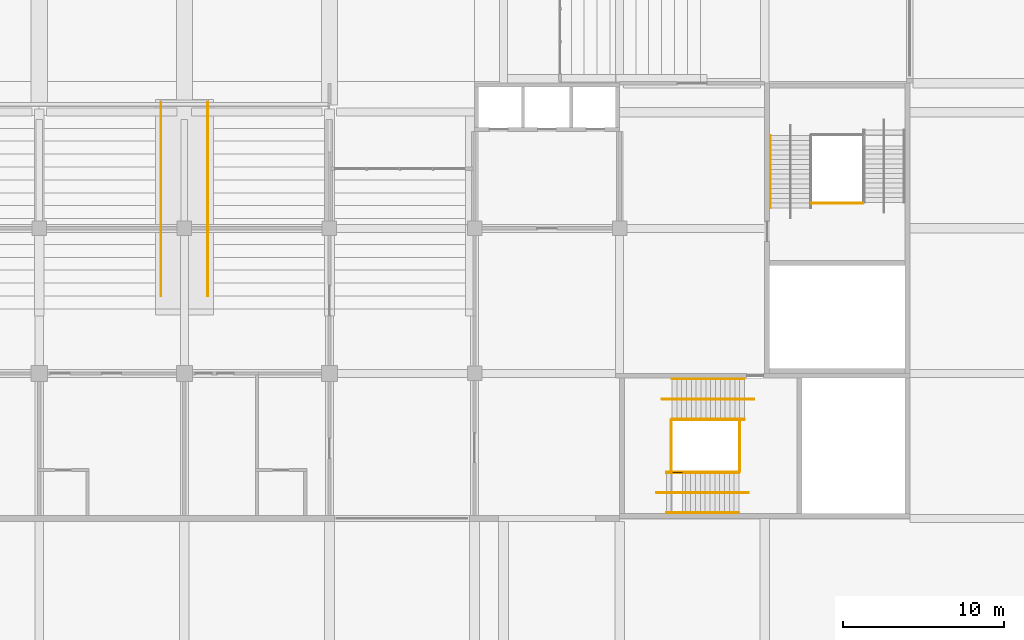
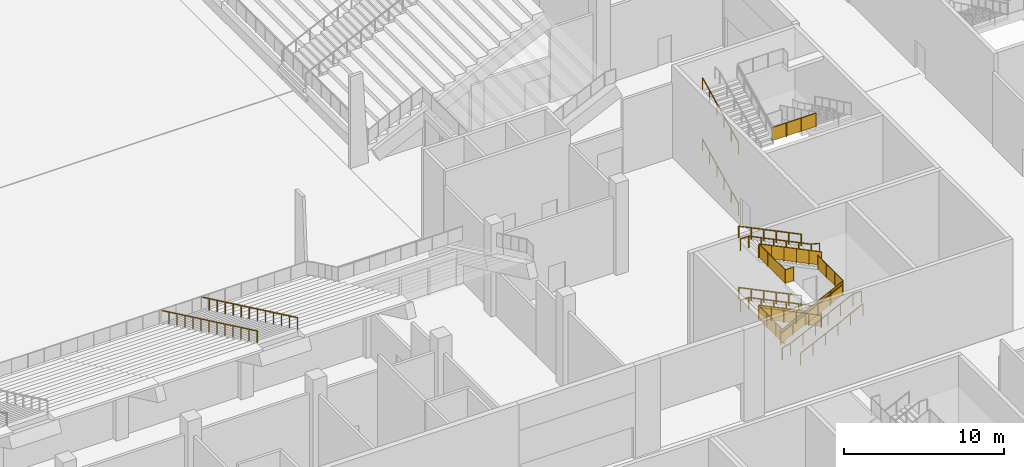
# One storey, part 71 of 92: 20 railings.
"""IFC4 building model written with IfcOpenShell, lengths in metres."""

from ifc_helpers import new_model, si_unit, direction, frame, origin, origin_2d, place, context, subcontext, project, spatial, polyline, circle, outline, extrude, material, type_object, element, save


model = new_model("IFC4")

# Units and contexts
model_context = context("Model", 3, precision=1e-05, world=origin(), true_north=direction((0.0, 1.0)))
body_context = subcontext(model_context, "Body", "Model", "MODEL_VIEW")
ifc_project = project(units=[si_unit("LENGTHUNIT", "METRE"), si_unit("AREAUNIT", "SQUARE_METRE"), si_unit("VOLUMEUNIT", "CUBIC_METRE"), si_unit("PLANEANGLEUNIT", "RADIAN"), si_unit("MASSUNIT", "GRAM", prefix="KILO")], contexts=[model_context])

# Site, building, storey
site_placement = place(None, origin())
site = spatial("IfcSite", under=ifc_project, at=site_placement, CompositionType="ELEMENT")
building_placement = place(site_placement, origin())
building = spatial("IfcBuilding", under=site, at=building_placement, Name="Silverbay Arena", CompositionType="ELEMENT")
storey_placement = place(building_placement, origin())
storey = spatial("IfcBuildingStorey", under=building, at=storey_placement, Name="L00", CompositionType="ELEMENT", Elevation=0.0)

# Railings
ifc_material_1 = material(Name="Stainless steel", Category="steel")
railing_type_1 = type_object("IfcRailingType", Name="Stair guard 1100", PredefinedType="GUARDRAIL", material=ifc_material_1)
railing_1_placement = place(storey_placement, frame((178.7431640625, 42.125, 0.145751953125)))
element("IfcRailing", 1, at=railing_1_placement, inside=storey, type_object=railing_type_1, Name="Stair ST-SE1 L00 to L01 flight 1 guard right", PredefinedType="GUARDRAIL", context=body_context, shape_type="SweptSolid", body=[
    extrude(circle(Radius=0.02392578125, at=origin_2d()), frame((0.0, 0.0, 1.076171875), z_axis=(-0.899367854138, 0.0, 0.437192706873), x_axis=(0.0, -1.0, 0.0)), (0.0, 0.0, 1.0), 5.00341796875),
    extrude(outline(polyline([(-0.008056640625, 0.046142578125), (0.907958984375, 0.491455078125), (0.907958984375, 1.494384765625), (-0.008056640625, 1.049072265625), (-0.008056640625, 0.046142578125)])), frame((0.0, -0.0029296875, 0.0), z_axis=(0.0, 1.0, 0.0), x_axis=(-1.0, 0.0, 0.0)), (0.0, 0.0, 1.0), 0.006103515625),
    extrude(outline(polyline([(-0.008056640625, 0.483642578125), (0.907958984375, 0.928955078125), (0.907958984375, 1.931884765625), (-0.008056640625, 1.486572265625), (-0.008056640625, 0.483642578125)])), frame((-0.89990234375, -0.0029296875, 0.0), z_axis=(0.0, 1.0, 0.0), x_axis=(-1.0, 0.0, 0.0)), (0.0, 0.0, 1.0), 0.006103515625),
    extrude(outline(polyline([(-0.008056640625, 0.921142578125), (0.907958984375, 1.366455078125), (0.907958984375, 2.369384765625), (-0.008056640625, 1.924072265625), (-0.008056640625, 0.921142578125)])), frame((-1.800048828125, -0.0029296875, 0.0), z_axis=(0.0, 1.0, 0.0), x_axis=(-1.0, 0.0, 0.0)), (0.0, 0.0, 1.0), 0.006103515625),
    extrude(outline(polyline([(-0.008056640625, 1.358642578125), (0.907958984375, 1.803955078125), (0.907958984375, 2.806884765625), (-0.008056640625, 2.361572265625), (-0.008056640625, 1.358642578125)])), frame((-2.699951171875, -0.0029296875, 0.0), z_axis=(0.0, 1.0, 0.0), x_axis=(-1.0, 0.0, 0.0)), (0.0, 0.0, 1.0), 0.006103515625),
    extrude(outline(polyline([(-0.008056640625, 1.796142578125), (0.907958984375, 2.241455078125), (0.907958984375, 3.244384765625), (-0.008056640625, 2.799072265625), (-0.008056640625, 1.796142578125)])), frame((-3.60009765625, -0.0029296875, 0.0), z_axis=(0.0, 1.0, 0.0), x_axis=(-1.0, 0.0, 0.0)), (0.0, 0.0, 1.0), 0.006103515625),
    extrude(circle(Radius=0.02099609375, at=origin_2d()), origin(), (0.0, 0.0, 1.0), 1.052001953125),
    extrude(circle(Radius=0.02099609375, at=origin_2d()), frame((-0.89990234375, 0.0, 0.4375)), (0.0, 0.0, 1.0), 1.052001953125),
    extrude(circle(Radius=0.02099609375, at=origin_2d()), frame((-1.800048828125, 0.0, 0.875)), (0.0, 0.0, 1.0), 1.052001953125),
    extrude(circle(Radius=0.02099609375, at=origin_2d()), frame((-2.699951171875, 0.0, 1.3125)), (0.0, 0.0, 1.0), 1.052001953125),
    extrude(circle(Radius=0.02099609375, at=origin_2d()), frame((-3.60009765625, 0.0, 1.75)), (0.0, 0.0, 1.0), 1.052001953125),
    extrude(circle(Radius=0.02099609375, at=origin_2d()), frame((-4.5, 0.0, 2.1875)), (0.0, 0.0, 1.0), 1.052001953125),
])
railing_2_placement = place(storey_placement, frame((173.89990234375, 38.875, 2.479248046875)))
element("IfcRailing", 2, at=railing_2_placement, inside=storey, type_object=railing_type_1, Name="Stair ST-SE1 L00 to L01 flight 2 guard left", PredefinedType="GUARDRAIL", context=body_context, shape_type="SweptSolid", body=[
    extrude(circle(Radius=0.02392578125, at=origin_2d()), frame((0.0, 0.0, 1.076171875), z_axis=(0.899367854138, 0.0, 0.437192706873), x_axis=(0.0, 1.0, 0.0)), (0.0, 0.0, 1.0), 5.00341796875),
    extrude(outline(polyline([(-0.008056640625, 0.046142578125), (0.907958984375, 0.491455078125), (0.907958984375, 1.494384765625), (-0.008056640625, 1.049072265625), (-0.008056640625, 0.046142578125)])), frame((0.0, 0.0029296875, 0.0), z_axis=(0.0, -1.0, 0.0), x_axis=(1.0, 0.0, 0.0)), (0.0, 0.0, 1.0), 0.006103515625),
    extrude(outline(polyline([(-0.008056640625, 0.483642578125), (0.907958984375, 0.928955078125), (0.907958984375, 1.931884765625), (-0.008056640625, 1.486572265625), (-0.008056640625, 0.483642578125)])), frame((0.89990234375, 0.0029296875, 0.0), z_axis=(0.0, -1.0, 0.0), x_axis=(1.0, 0.0, 0.0)), (0.0, 0.0, 1.0), 0.006103515625),
    extrude(outline(polyline([(-0.008056640625, 0.921142578125), (0.907958984375, 1.366455078125), (0.907958984375, 2.369384765625), (-0.008056640625, 1.924072265625), (-0.008056640625, 0.921142578125)])), frame((1.800048828125, 0.0029296875, 0.0), z_axis=(0.0, -1.0, 0.0), x_axis=(1.0, 0.0, 0.0)), (0.0, 0.0, 1.0), 0.006103515625),
    extrude(outline(polyline([(-0.008056640625, 1.358642578125), (0.907958984375, 1.803955078125), (0.907958984375, 2.806884765625), (-0.008056640625, 2.361572265625), (-0.008056640625, 1.358642578125)])), frame((2.699951171875, 0.0029296875, 0.0), z_axis=(0.0, -1.0, 0.0), x_axis=(1.0, 0.0, 0.0)), (0.0, 0.0, 1.0), 0.006103515625),
    extrude(outline(polyline([(-0.008056640625, 1.796142578125), (0.907958984375, 2.241455078125), (0.907958984375, 3.244384765625), (-0.008056640625, 2.799072265625), (-0.008056640625, 1.796142578125)])), frame((3.60009765625, 0.0029296875, 0.0), z_axis=(0.0, -1.0, 0.0), x_axis=(1.0, 0.0, 0.0)), (0.0, 0.0, 1.0), 0.006103515625),
    extrude(circle(Radius=0.02099609375, at=origin_2d()), origin(), (0.0, 0.0, 1.0), 1.052001953125),
    extrude(circle(Radius=0.02099609375, at=origin_2d()), frame((0.89990234375, 0.0, 0.4375)), (0.0, 0.0, 1.0), 1.052001953125),
    extrude(circle(Radius=0.02099609375, at=origin_2d()), frame((1.800048828125, 0.0, 0.875)), (0.0, 0.0, 1.0), 1.052001953125),
    extrude(circle(Radius=0.02099609375, at=origin_2d()), frame((2.699951171875, 0.0, 1.3125)), (0.0, 0.0, 1.0), 1.052001953125),
    extrude(circle(Radius=0.02099609375, at=origin_2d()), frame((3.60009765625, 0.0, 1.75)), (0.0, 0.0, 1.0), 1.052001953125),
    extrude(circle(Radius=0.02099609375, at=origin_2d()), frame((4.5, 0.0, 2.1875)), (0.0, 0.0, 1.0), 1.052001953125),
])
railing_3_placement = place(storey_placement, frame((178.7431640625, 42.125, 4.8125)))
element("IfcRailing", 3, at=railing_3_placement, inside=storey, type_object=railing_type_1, Name="Stair ST-SE1 L00 to L01 flight 3 guard right", PredefinedType="GUARDRAIL", context=body_context, shape_type="SweptSolid", body=[
    extrude(circle(Radius=0.02392578125, at=origin_2d()), frame((0.0, 0.0, 1.076171875), z_axis=(-0.899367854138, 0.0, 0.437192706873), x_axis=(0.0, -1.0, 0.0)), (0.0, 0.0, 1.0), 5.00341796875),
    extrude(outline(polyline([(-0.008056640625, 0.046142578125), (0.907958984375, 0.491455078125), (0.907958984375, 1.494384765625), (-0.008056640625, 1.049072265625), (-0.008056640625, 0.046142578125)])), frame((0.0, -0.0029296875, 0.0), z_axis=(0.0, 1.0, 0.0), x_axis=(-1.0, 0.0, 0.0)), (0.0, 0.0, 1.0), 0.006103515625),
    extrude(outline(polyline([(-0.008056640625, 0.483642578125), (0.907958984375, 0.928955078125), (0.907958984375, 1.931884765625), (-0.008056640625, 1.486572265625), (-0.008056640625, 0.483642578125)])), frame((-0.89990234375, -0.0029296875, 0.0), z_axis=(0.0, 1.0, 0.0), x_axis=(-1.0, 0.0, 0.0)), (0.0, 0.0, 1.0), 0.006103515625),
    extrude(outline(polyline([(-0.008056640625, 0.921142578125), (0.907958984375, 1.366455078125), (0.907958984375, 2.369384765625), (-0.008056640625, 1.924072265625), (-0.008056640625, 0.921142578125)])), frame((-1.800048828125, -0.0029296875, 0.0), z_axis=(0.0, 1.0, 0.0), x_axis=(-1.0, 0.0, 0.0)), (0.0, 0.0, 1.0), 0.006103515625),
    extrude(outline(polyline([(-0.008056640625, 1.358642578125), (0.907958984375, 1.803955078125), (0.907958984375, 2.806884765625), (-0.008056640625, 2.361572265625), (-0.008056640625, 1.358642578125)])), frame((-2.699951171875, -0.0029296875, 0.0), z_axis=(0.0, 1.0, 0.0), x_axis=(-1.0, 0.0, 0.0)), (0.0, 0.0, 1.0), 0.006103515625),
    extrude(outline(polyline([(-0.008056640625, 1.796142578125), (0.907958984375, 2.241455078125), (0.907958984375, 3.244384765625), (-0.008056640625, 2.799072265625), (-0.008056640625, 1.796142578125)])), frame((-3.60009765625, -0.0029296875, 0.0), z_axis=(0.0, 1.0, 0.0), x_axis=(-1.0, 0.0, 0.0)), (0.0, 0.0, 1.0), 0.006103515625),
    extrude(circle(Radius=0.02099609375, at=origin_2d()), origin(), (0.0, 0.0, 1.0), 1.052001953125),
    extrude(circle(Radius=0.02099609375, at=origin_2d()), frame((-0.89990234375, 0.0, 0.4375)), (0.0, 0.0, 1.0), 1.052001953125),
    extrude(circle(Radius=0.02099609375, at=origin_2d()), frame((-1.800048828125, 0.0, 0.875)), (0.0, 0.0, 1.0), 1.052001953125),
    extrude(circle(Radius=0.02099609375, at=origin_2d()), frame((-2.699951171875, 0.0, 1.3125)), (0.0, 0.0, 1.0), 1.052001953125),
    extrude(circle(Radius=0.02099609375, at=origin_2d()), frame((-3.60009765625, 0.0, 1.75)), (0.0, 0.0, 1.0), 1.052001953125),
    extrude(circle(Radius=0.02099609375, at=origin_2d()), frame((-4.5, 0.0, 2.1875)), (0.0, 0.0, 1.0), 1.052001953125),
])
for number, where, name in (
    (4, (174.193115234375, 42.10009765625, 2.333251953125), "Stair ST-SE1 L00 to L01 landing 1 guard"),
    (5, (178.449951171875, 42.10009765625, 4.666748046875), "Stair ST-SE1 L00 to L01 landing 2 guard"),
):
    element("IfcRailing", number, at=place(storey_placement, frame(where)), inside=storey, type_object=railing_type_1, Name=name, PredefinedType="GUARDRAIL", context=body_context, shape_type="SweptSolid", body=[
        extrude(circle(Radius=0.02392578125, at=origin_2d()), frame((0.0, 0.0, 1.076171875), z_axis=(0.0, -1.0, 0.0), x_axis=(1.0, 0.0, 0.0)), (0.0, 0.0, 1.0), 3.2001953125),
        extrude(outline(polyline([(-0.008056640625, 0.050048828125), (1.07470703125, 0.050048828125), (1.07470703125, 1.052978515625), (-0.008056640625, 1.052978515625), (-0.008056640625, 0.050048828125)])), frame((0.0029296875, 0.0, 0.0), z_axis=(-1.0, 0.0, 0.0), x_axis=(0.0, -1.0, 0.0)), (0.0, 0.0, 1.0), 0.006103515625),
        extrude(outline(polyline([(-0.008056640625, 0.050048828125), (1.07470703125, 0.050048828125), (1.07470703125, 1.052978515625), (-0.008056640625, 1.052978515625), (-0.008056640625, 0.050048828125)])), frame((0.0029296875, -1.066650390625, 0.0), z_axis=(-1.0, 0.0, 0.0), x_axis=(0.0, -1.0, 0.0)), (0.0, 0.0, 1.0), 0.006103515625),
        extrude(outline(polyline([(-0.008056640625, 0.050048828125), (1.07470703125, 0.050048828125), (1.07470703125, 1.052978515625), (-0.008056640625, 1.052978515625), (-0.008056640625, 0.050048828125)])), frame((0.0029296875, -2.133544921875, 0.0), z_axis=(-1.0, 0.0, 0.0), x_axis=(0.0, -1.0, 0.0)), (0.0, 0.0, 1.0), 0.006103515625),
        extrude(circle(Radius=0.02099609375, at=origin_2d()), origin(), (0.0, 0.0, 1.0), 1.052001953125),
        extrude(circle(Radius=0.02099609375, at=origin_2d()), frame((0.0, -1.066650390625, 0.0)), (0.0, 0.0, 1.0), 1.052001953125),
        extrude(circle(Radius=0.02099609375, at=origin_2d()), frame((0.0, -2.133544921875, 0.0)), (0.0, 0.0, 1.0), 1.052001953125),
        extrude(circle(Radius=0.02099609375, at=origin_2d()), frame((0.0, -3.2001953125, 0.0)), (0.0, 0.0, 1.0), 1.052001953125),
    ])
railing_4_placement = place(storey_placement, frame((174.85009765625, 38.85009765625, 7.0)))
element("IfcRailing", 6, at=railing_4_placement, inside=storey, type_object=railing_type_1, Name="Stair ST-SE1 L00 to L01 landing 3 guard", PredefinedType="GUARDRAIL", context=body_context, shape_type="SweptSolid", body=[
    extrude(circle(Radius=0.02392578125, at=origin_2d()), frame((0.0, 0.0, 1.076171875), z_axis=(-1.0, 0.0, 0.0), x_axis=(0.0, -1.0, 0.0)), (0.0, 0.0, 1.0), 0.60693359375),
    extrude(outline(polyline([(-0.008056640625, 0.050048828125), (0.614990234375, 0.050048828125), (0.614990234375, 1.052978515625), (-0.008056640625, 1.052978515625), (-0.008056640625, 0.050048828125)])), frame((0.0, -0.0029296875, 0.0), z_axis=(0.0, 1.0, 0.0), x_axis=(-1.0, 0.0, 0.0)), (0.0, 0.0, 1.0), 0.006103515625),
    extrude(circle(Radius=0.02392578125, at=origin_2d()), frame((-0.60693359375, 0.0, 1.076171875), z_axis=(0.0, 1.0, 0.0), x_axis=(-1.0, 0.0, 0.0)), (0.0, 0.0, 1.0), 3.25),
    extrude(outline(polyline([(-0.008056640625, 0.050048828125), (1.09130859375, 0.050048828125), (1.09130859375, 1.052978515625), (-0.008056640625, 1.052978515625), (-0.008056640625, 0.050048828125)])), frame((-0.60986328125, 0.0, 0.0), z_axis=(1.0, 0.0, 0.0), x_axis=(0.0, 1.0, 0.0)), (0.0, 0.0, 1.0), 0.006103515625),
    extrude(outline(polyline([(-0.008056640625, 0.050048828125), (1.09130859375, 0.050048828125), (1.09130859375, 1.052978515625), (-0.008056640625, 1.052978515625), (-0.008056640625, 0.050048828125)])), frame((-0.60986328125, 1.083251953125, 0.0), z_axis=(1.0, 0.0, 0.0), x_axis=(0.0, 1.0, 0.0)), (0.0, 0.0, 1.0), 0.006103515625),
    extrude(outline(polyline([(-0.008056640625, 0.050048828125), (1.09130859375, 0.050048828125), (1.09130859375, 1.052978515625), (-0.008056640625, 1.052978515625), (-0.008056640625, 0.050048828125)])), frame((-0.60986328125, 2.166748046875, 0.0), z_axis=(1.0, 0.0, 0.0), x_axis=(0.0, 1.0, 0.0)), (0.0, 0.0, 1.0), 0.006103515625),
    extrude(circle(Radius=0.02099609375, at=origin_2d()), origin(), (0.0, 0.0, 1.0), 1.052001953125),
    extrude(circle(Radius=0.02099609375, at=origin_2d()), frame((-0.60693359375, 0.0, 0.0)), (0.0, 0.0, 1.0), 1.052001953125),
    extrude(circle(Radius=0.02099609375, at=origin_2d()), frame((-0.60693359375, 1.083251953125, 0.0)), (0.0, 0.0, 1.0), 1.052001953125),
    extrude(circle(Radius=0.02099609375, at=origin_2d()), frame((-0.60693359375, 2.166748046875, 0.0)), (0.0, 0.0, 1.0), 1.052001953125),
    extrude(circle(Radius=0.02099609375, at=origin_2d()), frame((-0.60693359375, 3.25, 0.0)), (0.0, 0.0, 1.0), 1.052001953125),
])
railing_5_placement = place(storey_placement, frame((182.89990234375, 55.550048828125, 4.666748046875)))
element("IfcRailing", 7, at=railing_5_placement, inside=storey, type_object=railing_type_1, Name="Stair ST-SE2 L00 to L01 landing 2 guard", PredefinedType="GUARDRAIL", context=body_context, shape_type="SweptSolid", body=[
    extrude(circle(Radius=0.02392578125, at=origin_2d()), frame((0.0, 0.0, 1.076171875), z_axis=(1.0, 0.0, 0.0), x_axis=(0.0, 1.0, 0.0)), (0.0, 0.0, 1.0), 3.2001953125),
    extrude(outline(polyline([(-0.008056640625, 0.050048828125), (1.07470703125, 0.050048828125), (1.07470703125, 1.052978515625), (-0.008056640625, 1.052978515625), (-0.008056640625, 0.050048828125)])), frame((0.0, 0.0029296875, 0.0), z_axis=(0.0, -1.0, 0.0), x_axis=(1.0, 0.0, 0.0)), (0.0, 0.0, 1.0), 0.006103515625),
    extrude(outline(polyline([(-0.008056640625, 0.050048828125), (1.07470703125, 0.050048828125), (1.07470703125, 1.052978515625), (-0.008056640625, 1.052978515625), (-0.008056640625, 0.050048828125)])), frame((1.066650390625, 0.0029296875, 0.0), z_axis=(0.0, -1.0, 0.0), x_axis=(1.0, 0.0, 0.0)), (0.0, 0.0, 1.0), 0.006103515625),
    extrude(outline(polyline([(-0.008056640625, 0.050048828125), (1.07470703125, 0.050048828125), (1.07470703125, 1.052978515625), (-0.008056640625, 1.052978515625), (-0.008056640625, 0.050048828125)])), frame((2.133544921875, 0.0029296875, 0.0), z_axis=(0.0, -1.0, 0.0), x_axis=(1.0, 0.0, 0.0)), (0.0, 0.0, 1.0), 0.006103515625),
    extrude(circle(Radius=0.02099609375, at=origin_2d()), origin(), (0.0, 0.0, 1.0), 1.052001953125),
    extrude(circle(Radius=0.02099609375, at=origin_2d()), frame((1.066650390625, 0.0, 0.0)), (0.0, 0.0, 1.0), 1.052001953125),
    extrude(circle(Radius=0.02099609375, at=origin_2d()), frame((2.133544921875, 0.0, 0.0)), (0.0, 0.0, 1.0), 1.052001953125),
    extrude(circle(Radius=0.02099609375, at=origin_2d()), frame((3.2001953125, 0.0, 0.0)), (0.0, 0.0, 1.0), 1.052001953125),
])
ifc_material_2 = material(Name="Stainless steel", Category="steel")
railing_type_2 = type_object("IfcRailingType", Name="Stair handrail 900", PredefinedType="HANDRAIL", material=ifc_material_2)
for number, where, name in (
    (8, (178.7431640625, 44.64990234375, 0.145751953125), "Stair ST-SE1 L00 to L01 flight 1 handrail left"),
    (9, (178.7431640625, 42.1640625, 0.145751953125), "Stair ST-SE1 L00 to L01 flight 1 handrail right"),
):
    element("IfcRailing", number, at=place(storey_placement, frame(where)), inside=storey, type_object=railing_type_2, Name=name, PredefinedType="HANDRAIL", context=body_context, shape_type="SweptSolid", body=[
        extrude(circle(Radius=0.02392578125, at=origin_2d()), frame((0.0, 0.0, 0.8759765625), z_axis=(-0.899367854138, 0.0, 0.437192706873), x_axis=(0.0, -1.0, 0.0)), (0.0, 0.0, 1.0), 5.00341796875),
        extrude(circle(Radius=0.02099609375, at=origin_2d()), origin(), (0.0, 0.0, 1.0), 0.851806640625),
        extrude(circle(Radius=0.02099609375, at=origin_2d()), frame((-0.89990234375, 0.0, 0.4375)), (0.0, 0.0, 1.0), 0.851806640625),
        extrude(circle(Radius=0.02099609375, at=origin_2d()), frame((-1.800048828125, 0.0, 0.875)), (0.0, 0.0, 1.0), 0.851806640625),
        extrude(circle(Radius=0.02099609375, at=origin_2d()), frame((-2.699951171875, 0.0, 1.3125)), (0.0, 0.0, 1.0), 0.851806640625),
        extrude(circle(Radius=0.02099609375, at=origin_2d()), frame((-3.60009765625, 0.0, 1.75)), (0.0, 0.0, 1.0), 0.851806640625),
        extrude(circle(Radius=0.02099609375, at=origin_2d()), frame((-4.5, 0.0, 2.1875)), (0.0, 0.0, 1.0), 0.851806640625),
    ])
railing_6_placement = place(storey_placement, frame((179.343017578125, 43.39990234375, 0.0)))
element("IfcRailing", 10, at=railing_6_placement, inside=storey, type_object=railing_type_2, Name="Stair ST-SE1 L00 to L01 flight 1 central handrail", PredefinedType="HANDRAIL", context=body_context, shape_type="SweptSolid", body=[
    extrude(circle(Radius=0.02392578125, at=origin_2d()), frame((0.0, 0.0, 0.8759765625), z_axis=(-0.971726487806, 0.0, 0.23610936639), x_axis=(0.0, -1.0, 0.0)), (0.0, 0.0, 1.0), 0.6171875),
    extrude(circle(Radius=0.02392578125, at=origin_2d()), frame((-0.599853515625, 0.0, 1.021484375), z_axis=(-0.899367854138, 0.0, 0.437192706873), x_axis=(0.0, -1.0, 0.0)), (0.0, 0.0, 1.0), 5.00341796875),
    extrude(circle(Radius=0.02392578125, at=origin_2d()), frame((-5.099853515625, 0.0, 3.208984375), z_axis=(-1.0, 0.0, 0.0), x_axis=(0.0, -1.0, 0.0)), (0.0, 0.0, 1.0), 0.60009765625),
    extrude(circle(Radius=0.02099609375, at=origin_2d()), origin(), (0.0, 0.0, 1.0), 0.851806640625),
    extrude(circle(Radius=0.02099609375, at=origin_2d()), frame((-0.599853515625, 0.0, 0.145751953125)), (0.0, 0.0, 1.0), 0.851806640625),
    extrude(circle(Radius=0.02099609375, at=origin_2d()), frame((-1.499755859375, 0.0, 0.583251953125)), (0.0, 0.0, 1.0), 0.851806640625),
    extrude(circle(Radius=0.02099609375, at=origin_2d()), frame((-2.39990234375, 0.0, 1.020751953125)), (0.0, 0.0, 1.0), 0.851806640625),
    extrude(circle(Radius=0.02099609375, at=origin_2d()), frame((-3.2998046875, 0.0, 1.458251953125)), (0.0, 0.0, 1.0), 0.851806640625),
    extrude(circle(Radius=0.02099609375, at=origin_2d()), frame((-4.199951171875, 0.0, 1.895751953125)), (0.0, 0.0, 1.0), 0.851806640625),
    extrude(circle(Radius=0.02099609375, at=origin_2d()), frame((-5.099853515625, 0.0, 2.333251953125)), (0.0, 0.0, 1.0), 0.851806640625),
    extrude(circle(Radius=0.02099609375, at=origin_2d()), frame((-5.699951171875, 0.0, 2.333251953125)), (0.0, 0.0, 1.0), 0.851806640625),
])
for number, where, name in (
    (11, (173.89990234375, 38.8359375, 2.479248046875), "Stair ST-SE1 L00 to L01 flight 2 handrail left"),
    (12, (173.89990234375, 36.35009765625, 2.479248046875), "Stair ST-SE1 L00 to L01 flight 2 handrail right"),
):
    element("IfcRailing", number, at=place(storey_placement, frame(where)), inside=storey, type_object=railing_type_2, Name=name, PredefinedType="HANDRAIL", context=body_context, shape_type="SweptSolid", body=[
        extrude(circle(Radius=0.02392578125, at=origin_2d()), frame((0.0, 0.0, 0.8759765625), z_axis=(0.899367854138, 0.0, 0.437192706873), x_axis=(0.0, 1.0, 0.0)), (0.0, 0.0, 1.0), 5.00341796875),
        extrude(circle(Radius=0.02099609375, at=origin_2d()), origin(), (0.0, 0.0, 1.0), 0.851806640625),
        extrude(circle(Radius=0.02099609375, at=origin_2d()), frame((0.89990234375, 0.0, 0.4375)), (0.0, 0.0, 1.0), 0.851806640625),
        extrude(circle(Radius=0.02099609375, at=origin_2d()), frame((1.800048828125, 0.0, 0.875)), (0.0, 0.0, 1.0), 0.851806640625),
        extrude(circle(Radius=0.02099609375, at=origin_2d()), frame((2.699951171875, 0.0, 1.3125)), (0.0, 0.0, 1.0), 0.851806640625),
        extrude(circle(Radius=0.02099609375, at=origin_2d()), frame((3.60009765625, 0.0, 1.75)), (0.0, 0.0, 1.0), 0.851806640625),
        extrude(circle(Radius=0.02099609375, at=origin_2d()), frame((4.5, 0.0, 2.1875)), (0.0, 0.0, 1.0), 0.851806640625),
    ])
railing_7_placement = place(storey_placement, frame((173.300048828125, 37.60009765625, 2.333251953125)))
element("IfcRailing", 13, at=railing_7_placement, inside=storey, type_object=railing_type_2, Name="Stair ST-SE1 L00 to L01 flight 2 central handrail", PredefinedType="HANDRAIL", context=body_context, shape_type="SweptSolid", body=[
    extrude(circle(Radius=0.02392578125, at=origin_2d()), frame((0.0, 0.0, 0.8759765625), z_axis=(0.971635685089, 0.0, 0.236482759334), x_axis=(0.0, 1.0, 0.0)), (0.0, 0.0, 1.0), 0.617431640625),
    extrude(circle(Radius=0.02392578125, at=origin_2d()), frame((0.599853515625, 0.0, 1.02197265625), z_axis=(0.899367854138, 0.0, 0.437192706873), x_axis=(0.0, 1.0, 0.0)), (0.0, 0.0, 1.0), 5.00341796875),
    extrude(circle(Radius=0.02392578125, at=origin_2d()), frame((5.099853515625, 0.0, 3.20947265625), z_axis=(1.0, 0.0, 0.0), x_axis=(0.0, 1.0, 0.0)), (0.0, 0.0, 1.0), 0.60009765625),
    extrude(circle(Radius=0.02099609375, at=origin_2d()), origin(), (0.0, 0.0, 1.0), 0.851806640625),
    extrude(circle(Radius=0.02099609375, at=origin_2d()), frame((0.599853515625, 0.0, 0.14599609375)), (0.0, 0.0, 1.0), 0.851806640625),
    extrude(circle(Radius=0.02099609375, at=origin_2d()), frame((1.499755859375, 0.0, 0.58349609375)), (0.0, 0.0, 1.0), 0.851806640625),
    extrude(circle(Radius=0.02099609375, at=origin_2d()), frame((2.39990234375, 0.0, 1.02099609375)), (0.0, 0.0, 1.0), 0.851806640625),
    extrude(circle(Radius=0.02099609375, at=origin_2d()), frame((3.2998046875, 0.0, 1.45849609375)), (0.0, 0.0, 1.0), 0.851806640625),
    extrude(circle(Radius=0.02099609375, at=origin_2d()), frame((4.199951171875, 0.0, 1.89599609375)), (0.0, 0.0, 1.0), 0.851806640625),
    extrude(circle(Radius=0.02099609375, at=origin_2d()), frame((5.099853515625, 0.0, 2.33349609375)), (0.0, 0.0, 1.0), 0.851806640625),
    extrude(circle(Radius=0.02099609375, at=origin_2d()), frame((5.699951171875, 0.0, 2.33349609375)), (0.0, 0.0, 1.0), 0.851806640625),
])
for number, where, name in (
    (14, (178.7431640625, 44.64990234375, 4.8125), "Stair ST-SE1 L00 to L01 flight 3 handrail left"),
    (15, (178.7431640625, 42.1640625, 4.8125), "Stair ST-SE1 L00 to L01 flight 3 handrail right"),
):
    element("IfcRailing", number, at=place(storey_placement, frame(where)), inside=storey, type_object=railing_type_2, Name=name, PredefinedType="HANDRAIL", context=body_context, shape_type="SweptSolid", body=[
        extrude(circle(Radius=0.02392578125, at=origin_2d()), frame((0.0, 0.0, 0.8759765625), z_axis=(-0.899367854138, 0.0, 0.437192706873), x_axis=(0.0, -1.0, 0.0)), (0.0, 0.0, 1.0), 5.00341796875),
        extrude(circle(Radius=0.02099609375, at=origin_2d()), origin(), (0.0, 0.0, 1.0), 0.851806640625),
        extrude(circle(Radius=0.02099609375, at=origin_2d()), frame((-0.89990234375, 0.0, 0.4375)), (0.0, 0.0, 1.0), 0.851806640625),
        extrude(circle(Radius=0.02099609375, at=origin_2d()), frame((-1.800048828125, 0.0, 0.875)), (0.0, 0.0, 1.0), 0.851806640625),
        extrude(circle(Radius=0.02099609375, at=origin_2d()), frame((-2.699951171875, 0.0, 1.3125)), (0.0, 0.0, 1.0), 0.851806640625),
        extrude(circle(Radius=0.02099609375, at=origin_2d()), frame((-3.60009765625, 0.0, 1.75)), (0.0, 0.0, 1.0), 0.851806640625),
        extrude(circle(Radius=0.02099609375, at=origin_2d()), frame((-4.5, 0.0, 2.1875)), (0.0, 0.0, 1.0), 0.851806640625),
    ])
railing_8_placement = place(storey_placement, frame((179.343017578125, 43.39990234375, 4.666748046875)))
element("IfcRailing", 16, at=railing_8_placement, inside=storey, type_object=railing_type_2, Name="Stair ST-SE1 L00 to L01 flight 3 central handrail", PredefinedType="HANDRAIL", context=body_context, shape_type="SweptSolid", body=[
    extrude(circle(Radius=0.02392578125, at=origin_2d()), frame((0.0, 0.0, 0.8759765625), z_axis=(-0.971726487806, 0.0, 0.23610936639), x_axis=(0.0, -1.0, 0.0)), (0.0, 0.0, 1.0), 0.6171875),
    extrude(circle(Radius=0.02392578125, at=origin_2d()), frame((-0.599853515625, 0.0, 1.021484375), z_axis=(-0.899367854138, 0.0, 0.437192706873), x_axis=(0.0, -1.0, 0.0)), (0.0, 0.0, 1.0), 5.00341796875),
    extrude(circle(Radius=0.02392578125, at=origin_2d()), frame((-5.099853515625, 0.0, 3.208984375), z_axis=(-1.0, 0.0, 0.0), x_axis=(0.0, -1.0, 0.0)), (0.0, 0.0, 1.0), 0.60009765625),
    extrude(circle(Radius=0.02099609375, at=origin_2d()), origin(), (0.0, 0.0, 1.0), 0.851806640625),
    extrude(circle(Radius=0.02099609375, at=origin_2d()), frame((-0.599853515625, 0.0, 0.145751953125)), (0.0, 0.0, 1.0), 0.851806640625),
    extrude(circle(Radius=0.02099609375, at=origin_2d()), frame((-1.499755859375, 0.0, 0.583251953125)), (0.0, 0.0, 1.0), 0.851806640625),
    extrude(circle(Radius=0.02099609375, at=origin_2d()), frame((-2.39990234375, 0.0, 1.020751953125)), (0.0, 0.0, 1.0), 0.851806640625),
    extrude(circle(Radius=0.02099609375, at=origin_2d()), frame((-3.2998046875, 0.0, 1.458251953125)), (0.0, 0.0, 1.0), 0.851806640625),
    extrude(circle(Radius=0.02099609375, at=origin_2d()), frame((-4.199951171875, 0.0, 1.895751953125)), (0.0, 0.0, 1.0), 0.851806640625),
    extrude(circle(Radius=0.02099609375, at=origin_2d()), frame((-5.099853515625, 0.0, 2.333251953125)), (0.0, 0.0, 1.0), 0.851806640625),
    extrude(circle(Radius=0.02099609375, at=origin_2d()), frame((-5.699951171875, 0.0, 2.333251953125)), (0.0, 0.0, 1.0), 0.851806640625),
])
for number, where, name in (
    (17, (180.35009765625, 55.2568359375, 0.145751953125), "Stair ST-SE2 L00 to L01 flight 1 handrail left"),
    (18, (180.35009765625, 55.2568359375, 4.8125), "Stair ST-SE2 L00 to L01 flight 3 handrail left"),
):
    element("IfcRailing", number, at=place(storey_placement, frame(where)), inside=storey, type_object=railing_type_2, Name=name, PredefinedType="HANDRAIL", context=body_context, shape_type="SweptSolid", body=[
        extrude(circle(Radius=0.02392578125, at=origin_2d()), frame((0.0, 0.0, 0.8759765625), z_axis=(0.0, 0.899367854138, 0.437192706873), x_axis=(-1.0, 0.0, 0.0)), (0.0, 0.0, 1.0), 5.00341796875),
        extrude(circle(Radius=0.02099609375, at=origin_2d()), origin(), (0.0, 0.0, 1.0), 0.851806640625),
        extrude(circle(Radius=0.02099609375, at=origin_2d()), frame((0.0, 0.89990234375, 0.4375)), (0.0, 0.0, 1.0), 0.851806640625),
        extrude(circle(Radius=0.02099609375, at=origin_2d()), frame((0.0, 1.800048828125, 0.875)), (0.0, 0.0, 1.0), 0.851806640625),
        extrude(circle(Radius=0.02099609375, at=origin_2d()), frame((0.0, 2.699951171875, 1.3125)), (0.0, 0.0, 1.0), 0.851806640625),
        extrude(circle(Radius=0.02099609375, at=origin_2d()), frame((0.0, 3.60009765625, 1.75)), (0.0, 0.0, 1.0), 0.851806640625),
        extrude(circle(Radius=0.02099609375, at=origin_2d()), frame((0.0, 4.5, 2.1875)), (0.0, 0.0, 1.0), 0.851806640625),
    ])
railing_9_placement = place(storey_placement, frame((142.550048828125, 61.800048828125, 1.300048828125)))
element("IfcRailing", 19, at=railing_9_placement, inside=storey, type_object=railing_type_2, Name="Vomitory stair V02 handrail left", PredefinedType="HANDRAIL", context=body_context, shape_type="SweptSolid", body=[
    extrude(circle(Radius=0.02392578125, at=origin_2d()), frame((0.0, 0.0, 0.8759765625), z_axis=(0.0, -0.903278928798, 0.429053815727), x_axis=(1.0, 0.0, 0.0)), (0.0, 0.0, 1.0), 13.284912109375),
    extrude(circle(Radius=0.02099609375, at=origin_2d()), origin(), (0.0, 0.0, 1.0), 0.851806640625),
    extrude(circle(Radius=0.02099609375, at=origin_2d()), frame((0.0, -1.0, 0.47509765625)), (0.0, 0.0, 1.0), 0.851806640625),
    extrude(circle(Radius=0.02099609375, at=origin_2d()), frame((0.0, -2.0, 0.949951171875)), (0.0, 0.0, 1.0), 0.851806640625),
    extrude(circle(Radius=0.02099609375, at=origin_2d()), frame((0.0, -3.0, 1.425048828125)), (0.0, 0.0, 1.0), 0.851806640625),
    extrude(circle(Radius=0.02099609375, at=origin_2d()), frame((0.0, -4.0, 1.89990234375)), (0.0, 0.0, 1.0), 0.851806640625),
    extrude(circle(Radius=0.02099609375, at=origin_2d()), frame((0.0, -5.0, 2.375)), (0.0, 0.0, 1.0), 0.851806640625),
    extrude(circle(Radius=0.02099609375, at=origin_2d()), frame((0.0, -6.0, 2.85009765625)), (0.0, 0.0, 1.0), 0.851806640625),
    extrude(circle(Radius=0.02099609375, at=origin_2d()), frame((0.0, -7.0, 3.324951171875)), (0.0, 0.0, 1.0), 0.851806640625),
    extrude(circle(Radius=0.02099609375, at=origin_2d()), frame((0.0, -8.0, 3.800048828125)), (0.0, 0.0, 1.0), 0.851806640625),
    extrude(circle(Radius=0.02099609375, at=origin_2d()), frame((0.0, -9.0, 4.27490234375)), (0.0, 0.0, 1.0), 0.851806640625),
    extrude(circle(Radius=0.02099609375, at=origin_2d()), frame((0.0, -10.0, 4.75)), (0.0, 0.0, 1.0), 0.851806640625),
    extrude(circle(Radius=0.02099609375, at=origin_2d()), frame((0.0, -11.0, 5.224853515625)), (0.0, 0.0, 1.0), 0.851806640625),
    extrude(circle(Radius=0.02099609375, at=origin_2d()), frame((0.0, -12.0, 5.699951171875)), (0.0, 0.0, 1.0), 0.851806640625),
])
railing_10_placement = place(storey_placement, frame((145.449951171875, 61.800048828125, 1.300048828125)))
element("IfcRailing", 20, at=railing_10_placement, inside=storey, type_object=railing_type_2, Name="Vomitory stair V02 handrail right", PredefinedType="HANDRAIL", context=body_context, shape_type="SweptSolid", body=[
    extrude(circle(Radius=0.02392578125, at=origin_2d()), frame((0.0, 0.0, 0.8759765625), z_axis=(0.0, -0.903278928798, 0.429053815727), x_axis=(1.0, 0.0, 0.0)), (0.0, 0.0, 1.0), 13.284912109375),
    extrude(circle(Radius=0.02099609375, at=origin_2d()), origin(), (0.0, 0.0, 1.0), 0.851806640625),
    extrude(circle(Radius=0.02099609375, at=origin_2d()), frame((0.0, -1.0, 0.47509765625)), (0.0, 0.0, 1.0), 0.851806640625),
    extrude(circle(Radius=0.02099609375, at=origin_2d()), frame((0.0, -2.0, 0.949951171875)), (0.0, 0.0, 1.0), 0.851806640625),
    extrude(circle(Radius=0.02099609375, at=origin_2d()), frame((0.0, -3.0, 1.425048828125)), (0.0, 0.0, 1.0), 0.851806640625),
    extrude(circle(Radius=0.02099609375, at=origin_2d()), frame((0.0, -4.0, 1.89990234375)), (0.0, 0.0, 1.0), 0.851806640625),
    extrude(circle(Radius=0.02099609375, at=origin_2d()), frame((0.0, -5.0, 2.375)), (0.0, 0.0, 1.0), 0.851806640625),
    extrude(circle(Radius=0.02099609375, at=origin_2d()), frame((0.0, -6.0, 2.85009765625)), (0.0, 0.0, 1.0), 0.851806640625),
    extrude(circle(Radius=0.02099609375, at=origin_2d()), frame((0.0, -7.0, 3.324951171875)), (0.0, 0.0, 1.0), 0.851806640625),
    extrude(circle(Radius=0.02099609375, at=origin_2d()), frame((0.0, -8.0, 3.800048828125)), (0.0, 0.0, 1.0), 0.851806640625),
    extrude(circle(Radius=0.02099609375, at=origin_2d()), frame((0.0, -9.0, 4.27490234375)), (0.0, 0.0, 1.0), 0.851806640625),
    extrude(circle(Radius=0.02099609375, at=origin_2d()), frame((0.0, -10.0, 4.75)), (0.0, 0.0, 1.0), 0.851806640625),
    extrude(circle(Radius=0.02099609375, at=origin_2d()), frame((0.0, -11.0, 5.224853515625)), (0.0, 0.0, 1.0), 0.851806640625),
    extrude(circle(Radius=0.02099609375, at=origin_2d()), frame((0.0, -12.0, 5.699951171875)), (0.0, 0.0, 1.0), 0.851806640625),
])

save(model, "model.ifc")
